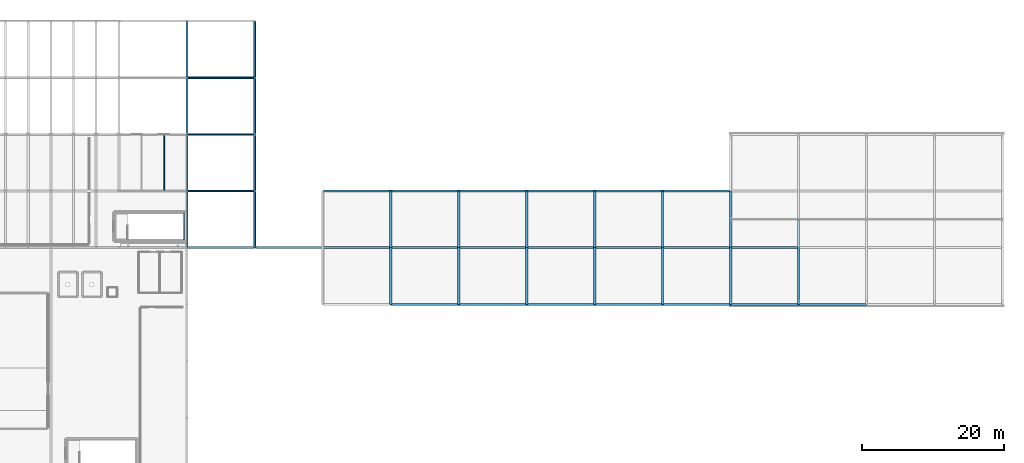
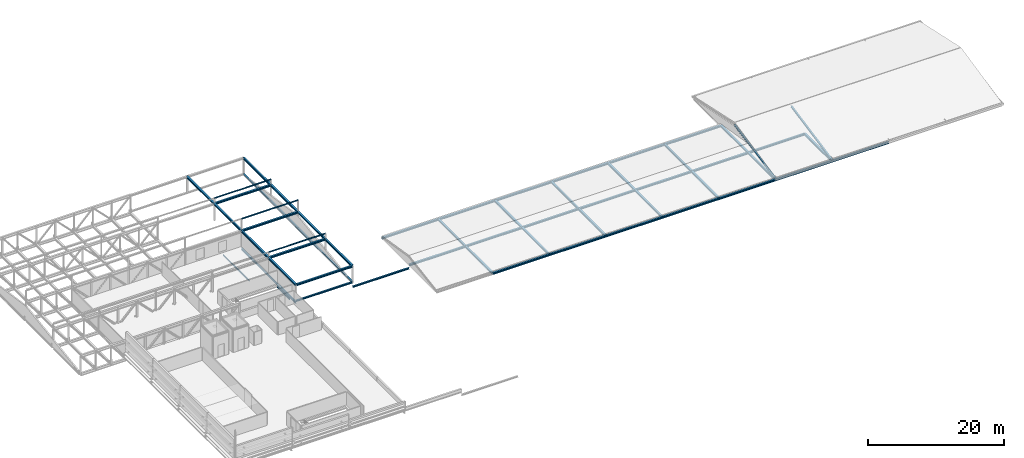
# One storey, part 21 of 34: 55 beams, 5 members.
"""IFC4 building model written with IfcOpenShell, lengths in metres."""

from ifc_helpers import new_model, si_unit, direction, frame, origin, origin_2d, place, context, subcontext, project, spatial, i_section, extrude, material, material_profile, profile_set, type_object, element, save


model = new_model("IFC4")

# Units and contexts
model_context = context("Model", 3, precision=1e-05, world=origin(), true_north=direction((0.0, 1.0)))
body_context = subcontext(model_context, "Body", "Model", "MODEL_VIEW")
ifc_project = project(units=[si_unit("LENGTHUNIT", "METRE"), si_unit("AREAUNIT", "SQUARE_METRE"), si_unit("VOLUMEUNIT", "CUBIC_METRE"), si_unit("PLANEANGLEUNIT", "RADIAN"), si_unit("MASSUNIT", "GRAM", prefix="KILO")], contexts=[model_context])

# Site, building, storey
site_placement = place(None, origin())
site = spatial("IfcSite", under=ifc_project, at=site_placement, CompositionType="ELEMENT")
building_placement = place(site_placement, origin())
building = spatial("IfcBuilding", under=site, at=building_placement, Name="Alderhovde Museum", CompositionType="ELEMENT")
storey_placement = place(building_placement, frame((0.0, 0.0, 25.800048828125)))
storey = spatial("IfcBuildingStorey", under=building, at=storey_placement, Name="L05", CompositionType="ELEMENT", Elevation=25.800048828125)

# Beams
ifc_material_1 = material(Name="Steel S355J2", Category="steel")
ifc_material_profile_1 = material_profile(ifc_material_1, i_section(OverallWidth=0.300048828125, OverallDepth=0.330078125, WebThickness=0.009521484375, FlangeThickness=0.0166015625, FilletRadius=0.027099609375, at=origin_2d()), Name="HEA 340")
ifc_profile_set_1 = profile_set([ifc_material_profile_1], Name="Steel S355J2")
beam_type_1 = type_object("IfcBeamType", Name="BM-HEA340", PredefinedType="BEAM", material=ifc_profile_set_1)
for number, where, z_axis, x_axis, name in (
    (1, (67.199951171875, 72.0, -0.420166015625), (0.0, 1.0, 0.0), (-1.0, 0.0, 0.0), "L05 Skybridge Roof Tie X=67.2"),
    (2, (67.199951171875, 80.0, -0.420166015625), (0.0, 1.0, 0.0), (-1.0, 0.0, 0.0), "L05 Skybridge Roof Tie X=67.2"),
    (3, (76.800048828125, 72.0, -0.420166015625), (0.0, 1.0, 0.0), (-1.0, 0.0, 0.0), "L05 Skybridge Roof Tie X=76.8"),
    (4, (76.800048828125, 80.0, -0.420166015625), (0.0, 1.0, 0.0), (-1.0, 0.0, 0.0), "L05 Skybridge Roof Tie X=76.8"),
    (5, (86.39990234375, 72.0, -0.420166015625), (0.0, 1.0, 0.0), (-1.0, 0.0, 0.0), "L05 Skybridge Roof Tie X=86.4"),
    (6, (86.39990234375, 80.0, -0.420166015625), (0.0, 1.0, 0.0), (-1.0, 0.0, 0.0), "L05 Skybridge Roof Tie X=86.4"),
    (7, (96.0, 72.0, -0.420166015625), (0.0, 1.0, 0.0), (-1.0, 0.0, 0.0), "L05 Skybridge Roof Tie X=96.0"),
    (8, (96.0, 80.0, -0.420166015625), (0.0, 1.0, 0.0), (-1.0, 0.0, 0.0), "L05 Skybridge Roof Tie X=96.0"),
    (9, (105.60009765625, 72.0, -0.420166015625), (0.0, 1.0, 0.0), (-1.0, 0.0, 0.0), "L05 Skybridge Roof Tie X=105.6"),
    (10, (105.60009765625, 80.0, -0.420166015625), (0.0, 1.0, 0.0), (-1.0, 0.0, 0.0), "L05 Skybridge Roof Tie X=105.6"),
    (11, (115.199951171875, 72.0, -0.420166015625), (0.0, 1.0, 0.0), (-1.0, 0.0, 0.0), "L05 Skybridge Roof Tie X=115.2"),
    (12, (115.199951171875, 80.0, -0.420166015625), (0.0, 1.0, 0.0), (-1.0, 0.0, 0.0), "L05 Skybridge Roof Tie X=115.2"),
):
    element("IfcBeam", number, at=place(storey_placement, frame(where, z_axis=z_axis, x_axis=x_axis)), inside=storey, type_object=beam_type_1, Name=name, PredefinedType="BEAM", context=body_context, shape_type="SweptSolid", body=[
        extrude(i_section(OverallWidth=0.300048828125, OverallDepth=0.330078125, WebThickness=0.009521484375, FlangeThickness=0.0166015625, FilletRadius=0.027099609375, at=origin_2d()), origin(), (0.0, 0.0, 1.0), 8.0),
    ])
beam_1_placement = place(storey_placement, frame((67.199951171875, 72.0, -0.420166015625), z_axis=(1.0, 0.0, 0.0), x_axis=(0.0, 1.0, 0.0)))
element("IfcBeam", 13, at=beam_1_placement, inside=storey, type_object=beam_type_1, Name="L05 Skybridge Roof Beam Y=72", PredefinedType="BEAM", context=body_context, shape_type="SweptSolid", body=[
    extrude(i_section(OverallWidth=0.300048828125, OverallDepth=0.330078125, WebThickness=0.009521484375, FlangeThickness=0.0166015625, FilletRadius=0.027099609375, at=origin_2d()), origin(), (0.0, 0.0, 1.0), 9.60009765625),
])
beam_2_placement = place(storey_placement, frame((76.800048828125, 72.0, -0.420166015625), z_axis=(1.0, 0.0, 0.0), x_axis=(0.0, 1.0, 0.0)))
element("IfcBeam", 14, at=beam_2_placement, inside=storey, type_object=beam_type_1, Name="L05 Skybridge Roof Beam Y=72", PredefinedType="BEAM", context=body_context, shape_type="SweptSolid", body=[
    extrude(i_section(OverallWidth=0.300048828125, OverallDepth=0.330078125, WebThickness=0.009521484375, FlangeThickness=0.0166015625, FilletRadius=0.027099609375, at=origin_2d()), origin(), (0.0, 0.0, 1.0), 9.599853515625),
])
for number, where, z_axis, x_axis, name in (
    (15, (86.39990234375, 72.0, -0.420166015625), (1.0, 0.0, 0.0), (0.0, 1.0, 0.0), "L05 Skybridge Roof Beam Y=72"),
    (16, (96.0, 72.0, -0.420166015625), (1.0, 0.0, 0.0), (0.0, 1.0, 0.0), "L05 Skybridge Roof Beam Y=72"),
):
    element("IfcBeam", number, at=place(storey_placement, frame(where, z_axis=z_axis, x_axis=x_axis)), inside=storey, type_object=beam_type_1, Name=name, PredefinedType="BEAM", context=body_context, shape_type="SweptSolid", body=[
        extrude(i_section(OverallWidth=0.300048828125, OverallDepth=0.330078125, WebThickness=0.009521484375, FlangeThickness=0.0166015625, FilletRadius=0.027099609375, at=origin_2d()), origin(), (0.0, 0.0, 1.0), 9.60009765625),
    ])
for number, where, z_axis, x_axis, name in (
    (17, (105.60009765625, 72.0, -0.420166015625), (1.0, 0.0, 0.0), (0.0, 1.0, 0.0), "L05 Skybridge Roof Beam Y=72"),
    (18, (57.60009765625, 80.0, -0.420166015625), (1.0, 0.0, 0.0), (0.0, 1.0, 0.0), "L05 Skybridge Roof Beam Y=80"),
):
    element("IfcBeam", number, at=place(storey_placement, frame(where, z_axis=z_axis, x_axis=x_axis)), inside=storey, type_object=beam_type_1, Name=name, PredefinedType="BEAM", context=body_context, shape_type="SweptSolid", body=[
        extrude(i_section(OverallWidth=0.300048828125, OverallDepth=0.330078125, WebThickness=0.009521484375, FlangeThickness=0.0166015625, FilletRadius=0.027099609375, at=origin_2d()), origin(), (0.0, 0.0, 1.0), 9.599853515625),
    ])
beam_3_placement = place(storey_placement, frame((67.199951171875, 80.0, -0.420166015625), z_axis=(1.0, 0.0, 0.0), x_axis=(0.0, 1.0, 0.0)))
element("IfcBeam", 19, at=beam_3_placement, inside=storey, type_object=beam_type_1, Name="L05 Skybridge Roof Beam Y=80", PredefinedType="BEAM", context=body_context, shape_type="SweptSolid", body=[
    extrude(i_section(OverallWidth=0.300048828125, OverallDepth=0.330078125, WebThickness=0.009521484375, FlangeThickness=0.0166015625, FilletRadius=0.027099609375, at=origin_2d()), origin(), (0.0, 0.0, 1.0), 9.60009765625),
])
beam_4_placement = place(storey_placement, frame((76.800048828125, 80.0, -0.420166015625), z_axis=(1.0, 0.0, 0.0), x_axis=(0.0, 1.0, 0.0)))
element("IfcBeam", 20, at=beam_4_placement, inside=storey, type_object=beam_type_1, Name="L05 Skybridge Roof Beam Y=80", PredefinedType="BEAM", context=body_context, shape_type="SweptSolid", body=[
    extrude(i_section(OverallWidth=0.300048828125, OverallDepth=0.330078125, WebThickness=0.009521484375, FlangeThickness=0.0166015625, FilletRadius=0.027099609375, at=origin_2d()), origin(), (0.0, 0.0, 1.0), 9.599853515625),
])
for number, where, z_axis, x_axis, name in (
    (21, (86.39990234375, 80.0, -0.420166015625), (1.0, 0.0, 0.0), (0.0, 1.0, 0.0), "L05 Skybridge Roof Beam Y=80"),
    (22, (96.0, 80.0, -0.420166015625), (1.0, 0.0, 0.0), (0.0, 1.0, 0.0), "L05 Skybridge Roof Beam Y=80"),
):
    element("IfcBeam", number, at=place(storey_placement, frame(where, z_axis=z_axis, x_axis=x_axis)), inside=storey, type_object=beam_type_1, Name=name, PredefinedType="BEAM", context=body_context, shape_type="SweptSolid", body=[
        extrude(i_section(OverallWidth=0.300048828125, OverallDepth=0.330078125, WebThickness=0.009521484375, FlangeThickness=0.0166015625, FilletRadius=0.027099609375, at=origin_2d()), origin(), (0.0, 0.0, 1.0), 9.60009765625),
    ])
for number, where, z_axis, x_axis, name in (
    (23, (105.60009765625, 80.0, -0.420166015625), (1.0, 0.0, 0.0), (0.0, 1.0, 0.0), "L05 Skybridge Roof Beam Y=80"),
    (24, (57.60009765625, 88.0, -0.420166015625), (1.0, 0.0, 0.0), (0.0, 1.0, 0.0), "L05 Skybridge Roof Beam Y=88"),
):
    element("IfcBeam", number, at=place(storey_placement, frame(where, z_axis=z_axis, x_axis=x_axis)), inside=storey, type_object=beam_type_1, Name=name, PredefinedType="BEAM", context=body_context, shape_type="SweptSolid", body=[
        extrude(i_section(OverallWidth=0.300048828125, OverallDepth=0.330078125, WebThickness=0.009521484375, FlangeThickness=0.0166015625, FilletRadius=0.027099609375, at=origin_2d()), origin(), (0.0, 0.0, 1.0), 9.599853515625),
    ])
beam_5_placement = place(storey_placement, frame((67.199951171875, 88.0, -0.420166015625), z_axis=(1.0, 0.0, 0.0), x_axis=(0.0, 1.0, 0.0)))
element("IfcBeam", 25, at=beam_5_placement, inside=storey, type_object=beam_type_1, Name="L05 Skybridge Roof Beam Y=88", PredefinedType="BEAM", context=body_context, shape_type="SweptSolid", body=[
    extrude(i_section(OverallWidth=0.300048828125, OverallDepth=0.330078125, WebThickness=0.009521484375, FlangeThickness=0.0166015625, FilletRadius=0.027099609375, at=origin_2d()), origin(), (0.0, 0.0, 1.0), 9.60009765625),
])
beam_6_placement = place(storey_placement, frame((76.800048828125, 88.0, -0.420166015625), z_axis=(1.0, 0.0, 0.0), x_axis=(0.0, 1.0, 0.0)))
element("IfcBeam", 26, at=beam_6_placement, inside=storey, type_object=beam_type_1, Name="L05 Skybridge Roof Beam Y=88", PredefinedType="BEAM", context=body_context, shape_type="SweptSolid", body=[
    extrude(i_section(OverallWidth=0.300048828125, OverallDepth=0.330078125, WebThickness=0.009521484375, FlangeThickness=0.0166015625, FilletRadius=0.027099609375, at=origin_2d()), origin(), (0.0, 0.0, 1.0), 9.599853515625),
])
for number, where, z_axis, x_axis, name in (
    (27, (86.39990234375, 88.0, -0.420166015625), (1.0, 0.0, 0.0), (0.0, 1.0, 0.0), "L05 Skybridge Roof Beam Y=88"),
    (28, (96.0, 88.0, -0.420166015625), (1.0, 0.0, 0.0), (0.0, 1.0, 0.0), "L05 Skybridge Roof Beam Y=88"),
):
    element("IfcBeam", number, at=place(storey_placement, frame(where, z_axis=z_axis, x_axis=x_axis)), inside=storey, type_object=beam_type_1, Name=name, PredefinedType="BEAM", context=body_context, shape_type="SweptSolid", body=[
        extrude(i_section(OverallWidth=0.300048828125, OverallDepth=0.330078125, WebThickness=0.009521484375, FlangeThickness=0.0166015625, FilletRadius=0.027099609375, at=origin_2d()), origin(), (0.0, 0.0, 1.0), 9.60009765625),
    ])
beam_7_placement = place(storey_placement, frame((105.60009765625, 88.0, -0.420166015625), z_axis=(1.0, 0.0, 0.0), x_axis=(0.0, 1.0, 0.0)))
element("IfcBeam", 29, at=beam_7_placement, inside=storey, type_object=beam_type_1, Name="L05 Skybridge Roof Beam Y=88", PredefinedType="BEAM", context=body_context, shape_type="SweptSolid", body=[
    extrude(i_section(OverallWidth=0.300048828125, OverallDepth=0.330078125, WebThickness=0.009521484375, FlangeThickness=0.0166015625, FilletRadius=0.027099609375, at=origin_2d()), origin(), (0.0, 0.0, 1.0), 9.599853515625),
])
for number, where, z_axis, x_axis, name in (
    (30, (38.39990234375, 80.0, 2.75), (0.0, 1.0, 0.0), (-1.0, 0.0, 0.0), "L05 Vol 4 Roof Tie X=38.4"),
    (31, (38.39990234375, 88.0, 2.75), (0.0, 1.0, 0.0), (-1.0, 0.0, 0.0), "L05 Vol 4 Roof Tie X=38.4"),
    (32, (38.39990234375, 96.0, 2.75), (0.0, 1.0, 0.0), (-1.0, 0.0, 0.0), "L05 Vol 4 Roof Tie X=38.4"),
    (33, (38.39990234375, 104.0, 2.75), (0.0, 1.0, 0.0), (-1.0, 0.0, 0.0), "L05 Vol 4 Roof Tie X=38.4"),
    (34, (48.0, 80.0, 2.75), (0.0, 1.0, 0.0), (-1.0, 0.0, 0.0), "L05 Vol 4 Roof Tie X=48.0"),
    (35, (48.0, 88.0, 2.75), (0.0, 1.0, 0.0), (-1.0, 0.0, 0.0), "L05 Vol 4 Roof Tie X=48.0"),
    (36, (48.0, 96.0, 2.75), (0.0, 1.0, 0.0), (-1.0, 0.0, 0.0), "L05 Vol 4 Roof Tie X=48.0"),
    (37, (48.0, 104.0, 2.75), (0.0, 1.0, 0.0), (-1.0, 0.0, 0.0), "L05 Vol 4 Roof Tie X=48.0"),
):
    element("IfcBeam", number, at=place(storey_placement, frame(where, z_axis=z_axis, x_axis=x_axis)), inside=storey, type_object=beam_type_1, Name=name, PredefinedType="BEAM", context=body_context, shape_type="SweptSolid", body=[
        extrude(i_section(OverallWidth=0.300048828125, OverallDepth=0.330078125, WebThickness=0.009521484375, FlangeThickness=0.0166015625, FilletRadius=0.027099609375, at=origin_2d()), origin(), (0.0, 0.0, 1.0), 8.0),
    ])
for number, where, z_axis, x_axis, name in (
    (38, (38.39990234375, 80.0, 2.75), (1.0, 0.0, 0.0), (0.0, 1.0, 0.0), "L05 Vol 4 Roof Beam Y=80"),
    (39, (38.39990234375, 88.0, 2.75), (1.0, 0.0, 0.0), (0.0, 1.0, 0.0), "L05 Vol 4 Roof Beam Y=88"),
    (40, (38.39990234375, 96.0, 2.75), (1.0, 0.0, 0.0), (0.0, 1.0, 0.0), "L05 Vol 4 Roof Beam Y=96"),
    (41, (38.39990234375, 104.0, 2.75), (1.0, 0.0, 0.0), (0.0, 1.0, 0.0), "L05 Vol 4 Roof Beam Y=104"),
):
    element("IfcBeam", number, at=place(storey_placement, frame(where, z_axis=z_axis, x_axis=x_axis)), inside=storey, type_object=beam_type_1, Name=name, PredefinedType="BEAM", context=body_context, shape_type="SweptSolid", body=[
        extrude(i_section(OverallWidth=0.300048828125, OverallDepth=0.330078125, WebThickness=0.009521484375, FlangeThickness=0.0166015625, FilletRadius=0.027099609375, at=origin_2d()), origin(), (0.0, 0.0, 1.0), 9.60009765625),
    ])
beam_8_placement = place(storey_placement, frame((124.800048828125, 72.0, -0.420166015625), z_axis=(0.0, 1.0, 0.0), x_axis=(-1.0, 0.0, 0.0)))
element("IfcBeam", 42, at=beam_8_placement, inside=storey, type_object=beam_type_1, Name="L05 Vol 5 Roof Tie X=124.8", PredefinedType="BEAM", context=body_context, shape_type="SweptSolid", body=[
    extrude(i_section(OverallWidth=0.300048828125, OverallDepth=0.330078125, WebThickness=0.009521484375, FlangeThickness=0.0166015625, FilletRadius=0.027099609375, at=origin_2d()), origin(), (0.0, 0.0, 1.0), 8.0),
])
beam_9_placement = place(storey_placement, frame((115.199951171875, 72.0, -0.420166015625), z_axis=(1.0, 0.0, 0.0), x_axis=(0.0, 1.0, 0.0)))
element("IfcBeam", 43, at=beam_9_placement, inside=storey, type_object=beam_type_1, Name="L05 Vol 5 Roof Beam Y=72", PredefinedType="BEAM", context=body_context, shape_type="SweptSolid", body=[
    extrude(i_section(OverallWidth=0.300048828125, OverallDepth=0.330078125, WebThickness=0.009521484375, FlangeThickness=0.0166015625, FilletRadius=0.027099609375, at=origin_2d()), origin(), (0.0, 0.0, 1.0), 9.60009765625),
])
beam_10_placement = place(storey_placement, frame((124.800048828125, 72.0, -0.420166015625), z_axis=(1.0, 0.0, 0.0), x_axis=(0.0, 1.0, 0.0)))
element("IfcBeam", 44, at=beam_10_placement, inside=storey, type_object=beam_type_1, Name="L05 Vol 5 Roof Beam Y=72", PredefinedType="BEAM", context=body_context, shape_type="SweptSolid", body=[
    extrude(i_section(OverallWidth=0.300048828125, OverallDepth=0.330078125, WebThickness=0.009521484375, FlangeThickness=0.0166015625, FilletRadius=0.027099609375, at=origin_2d()), origin(), (0.0, 0.0, 1.0), 9.599853515625),
])
beam_11_placement = place(storey_placement, frame((115.199951171875, 80.0, -0.420166015625), z_axis=(1.0, 0.0, 0.0), x_axis=(0.0, 1.0, 0.0)))
element("IfcBeam", 45, at=beam_11_placement, inside=storey, type_object=beam_type_1, Name="L05 Vol 5 Roof Beam Y=80", PredefinedType="BEAM", context=body_context, shape_type="SweptSolid", body=[
    extrude(i_section(OverallWidth=0.300048828125, OverallDepth=0.330078125, WebThickness=0.009521484375, FlangeThickness=0.0166015625, FilletRadius=0.027099609375, at=origin_2d()), origin(), (0.0, 0.0, 1.0), 9.60009765625),
])
ifc_material_2 = material(Name="Steel S355J2", Category="steel")
ifc_material_profile_2 = material_profile(ifc_material_2, i_section(OverallWidth=0.1201171875, OverallDepth=0.239990234375, WebThickness=0.006103515625, FlangeThickness=0.009765625, FilletRadius=0.014892578125, at=origin_2d()), Name="IPE 240")
ifc_profile_set_2 = profile_set([ifc_material_profile_2], Name="Steel S355J2")
beam_type_2 = type_object("IfcBeamType", Name="BM-IPE240", PredefinedType="BEAM", material=ifc_profile_set_2)
beam_12_placement = place(storey_placement, frame((38.0, 81.1201171875, -0.380126953125), z_axis=(0.0, 1.0, 0.0), x_axis=(-1.0, 0.0, 0.0)))
element("IfcBeam", 46, at=beam_12_placement, inside=storey, type_object=beam_type_2, Name="L05 Stair ST2 Floor Trimmer E", PredefinedType="BEAM", context=body_context, shape_type="SweptSolid", body=[
    extrude(i_section(OverallWidth=0.1201171875, OverallDepth=0.239990234375, WebThickness=0.006103515625, FlangeThickness=0.009765625, FilletRadius=0.014892578125, at=origin_2d()), origin(), (0.0, 0.0, 1.0), 3.719970703125),
])
ifc_material_3 = material(Name="Steel S355J2", Category="steel")
ifc_material_profile_3 = material_profile(ifc_material_3, i_section(OverallWidth=0.169921875, OverallDepth=0.360107421875, WebThickness=0.008056640625, FlangeThickness=0.0126953125, FilletRadius=0.01806640625, at=origin_2d()), Name="IPE 360")
ifc_profile_set_3 = profile_set([ifc_material_profile_3], Name="Steel S355J2")
beam_type_3 = type_object("IfcBeamType", Name="BM-IPE360", PredefinedType="BEAM", material=ifc_profile_set_3)
for number, where, z_axis, x_axis, name in (
    (47, (38.39990234375, 80.0, -0.43994140625), (0.0, 1.0, 0.0), (-1.0, 0.0, 0.0), "L05 Grid Beam X=38.4 (80.0 TO 88.0)"),
    (48, (38.39990234375, 88.0, -0.43994140625), (0.0, 1.0, 0.0), (-1.0, 0.0, 0.0), "L05 Grid Beam X=38.4 (88.0 TO 96.0)"),
):
    element("IfcBeam", number, at=place(storey_placement, frame(where, z_axis=z_axis, x_axis=x_axis)), inside=storey, type_object=beam_type_3, Name=name, PredefinedType="BEAM", context=body_context, shape_type="SweptSolid", body=[
        extrude(i_section(OverallWidth=0.169921875, OverallDepth=0.360107421875, WebThickness=0.008056640625, FlangeThickness=0.0126953125, FilletRadius=0.01806640625, at=origin_2d()), origin(), (0.0, 0.0, 1.0), 8.0),
    ])
ifc_material_4 = material(Name="Steel S355J2", Category="steel")
ifc_material_profile_4 = material_profile(ifc_material_4, i_section(OverallWidth=0.110107421875, OverallDepth=0.219970703125, WebThickness=0.005859375, FlangeThickness=0.00927734375, FilletRadius=0.011962890625, at=origin_2d()), Name="IPE 220")
ifc_profile_set_4 = profile_set([ifc_material_profile_4], Name="Steel S355J2")
beam_type_4 = type_object("IfcBeamType", Name="JST-IPE220", PredefinedType="JOIST", material=ifc_profile_set_4)
beam_13_placement = place(storey_placement, frame((35.199951171875, 88.090087890625, -0.3701171875), z_axis=(0.0, 1.0, 0.0), x_axis=(-1.0, 0.0, 0.0)))
element("IfcBeam", 49, at=beam_13_placement, inside=storey, type_object=beam_type_4, Name="L05 Composite Joist X=35.2 (88.0 TO 96.0)", PredefinedType="JOIST", context=body_context, shape_type="SweptSolid", body=[
    extrude(i_section(OverallWidth=0.110107421875, OverallDepth=0.219970703125, WebThickness=0.005859375, FlangeThickness=0.00927734375, FilletRadius=0.011962890625, at=origin_2d()), origin(), (0.0, 0.0, 1.0), 7.780029296875),
])

# Members
ifc_material_5 = material(Name="Steel S355J2", Category="steel")
ifc_material_profile_5 = material_profile(ifc_material_5, i_section(OverallWidth=0.08203125, OverallDepth=0.159912109375, WebThickness=0.0048828125, FlangeThickness=0.00732421875, FilletRadius=0.009033203125, at=origin_2d()), Name="IPE 160")
ifc_profile_set_5 = profile_set([ifc_material_profile_5], Name="Steel S355J2")
member_type_1 = type_object("IfcMemberType", Name="PRL-IPE160", PredefinedType="PURLIN", material=ifc_profile_set_5)
for number, where, z_axis, x_axis, name in (
    (50, (38.39990234375, 88.0, 3.75), (1.0, 0.0, 0.0), (0.0, 1.0, 0.0), "Cantilever Wing Roof Purlin Y=88"),
    (51, (38.39990234375, 96.0, 4.89990234375), (1.0, 0.0, 0.0), (0.0, 1.0, 0.0), "Cantilever Wing Roof Purlin Y=96"),
    (52, (38.39990234375, 104.0, 3.75), (1.0, 0.0, 0.0), (0.0, 1.0, 0.0), "Cantilever Wing Roof Purlin Y=104"),
):
    element("IfcMember", number, at=place(storey_placement, frame(where, z_axis=z_axis, x_axis=x_axis)), inside=storey, type_object=member_type_1, Name=name, PredefinedType="PURLIN", context=body_context, shape_type="SweptSolid", body=[
        extrude(i_section(OverallWidth=0.08203125, OverallDepth=0.159912109375, WebThickness=0.0048828125, FlangeThickness=0.00732421875, FilletRadius=0.009033203125, at=origin_2d()), origin(), (0.0, 0.0, 1.0), 9.60009765625),
    ])

# Beams
ifc_material_6 = material(Name="Steel S355J2", Category="steel")
ifc_material_profile_6 = material_profile(ifc_material_6, i_section(OverallWidth=0.260009765625, OverallDepth=0.25, WebThickness=0.007568359375, FlangeThickness=0.012451171875, FilletRadius=0.02392578125, at=origin_2d()), Name="HEA 260")
ifc_profile_set_6 = profile_set([ifc_material_profile_6], Name="Steel S355J2")
beam_type_5 = type_object("IfcBeamType", Name="SPD-HEA260", PredefinedType="SPANDREL", material=ifc_profile_set_6)
for number, where, z_axis, x_axis, name in (
    (53, (48.0, 80.0, -0.130126953125), (0.0, 1.0, 0.0), (-1.0, 0.0, 0.0), "L05 Vol 4 East Spandrel Y=80"),
    (54, (48.0, 88.0, -0.130126953125), (0.0, 1.0, 0.0), (-1.0, 0.0, 0.0), "L05 Vol 4 East Spandrel Y=88"),
    (55, (48.0, 96.0, -0.130126953125), (0.0, 1.0, 0.0), (-1.0, 0.0, 0.0), "L05 Vol 4 East Spandrel Y=96"),
    (56, (48.0, 104.0, -0.130126953125), (0.0, 1.0, 0.0), (-1.0, 0.0, 0.0), "L05 Vol 4 East Spandrel Y=104"),
):
    element("IfcBeam", number, at=place(storey_placement, frame(where, z_axis=z_axis, x_axis=x_axis)), inside=storey, type_object=beam_type_5, Name=name, PredefinedType="SPANDREL", context=body_context, shape_type="SweptSolid", body=[
        extrude(i_section(OverallWidth=0.260009765625, OverallDepth=0.25, WebThickness=0.007568359375, FlangeThickness=0.012451171875, FilletRadius=0.02392578125, at=origin_2d()), origin(), (0.0, 0.0, 1.0), 8.0),
    ])
for number, where, z_axis, x_axis, name in (
    (57, (38.39990234375, 80.0, -0.130126953125), (1.0, 0.0, 0.0), (0.0, 1.0, 0.0), "L05 Vol 4 Perimeter Spandrel Y=80"),
    (58, (48.0, 80.0, -0.97509765625), (1.0, 0.0, 0.0), (0.0, 1.0, 0.0), "L05 Folded Wing Fascia Beam Y=80"),
):
    element("IfcBeam", number, at=place(storey_placement, frame(where, z_axis=z_axis, x_axis=x_axis)), inside=storey, type_object=beam_type_5, Name=name, PredefinedType="SPANDREL", context=body_context, shape_type="SweptSolid", body=[
        extrude(i_section(OverallWidth=0.260009765625, OverallDepth=0.25, WebThickness=0.007568359375, FlangeThickness=0.012451171875, FilletRadius=0.02392578125, at=origin_2d()), origin(), (0.0, 0.0, 1.0), 9.60009765625),
    ])

# Members
ifc_material_7 = material(Name="Steel S355J2", Category="steel")
ifc_material_profile_7 = material_profile(ifc_material_7, i_section(OverallWidth=0.260009765625, OverallDepth=0.25, WebThickness=0.007568359375, FlangeThickness=0.012451171875, FilletRadius=0.02392578125, at=origin_2d()), Name="HEA 260")
ifc_profile_set_7 = profile_set([ifc_material_profile_7], Name="Steel S355J2")
member_type_2 = type_object("IfcMemberType", Name="TR-CH-HEA260", PredefinedType="CHORD", material=ifc_profile_set_7)
for number, where, z_axis, x_axis, name in (
    (59, (115.199951171875, 72.0, -0.25), (0.0, 0.980582210276, 0.196108462057), (-1.0, 0.0, 0.0), "L05 Vol 5 South Rafter X=115.2"),
    (60, (124.800048828125, 72.0, -0.25), (0.0, 0.980582210276, 0.196108462057), (-1.0, 0.0, 0.0), "L05 Vol 5 South Rafter X=124.8"),
):
    element("IfcMember", number, at=place(storey_placement, frame(where, z_axis=z_axis, x_axis=x_axis)), inside=storey, type_object=member_type_2, Name=name, PredefinedType="CHORD", context=body_context, shape_type="SweptSolid", body=[
        extrude(i_section(OverallWidth=0.260009765625, OverallDepth=0.25, WebThickness=0.007568359375, FlangeThickness=0.012451171875, FilletRadius=0.02392578125, at=origin_2d()), origin(), (0.0, 0.0, 1.0), 12.237548828125),
    ])

save(model, "model.ifc")
